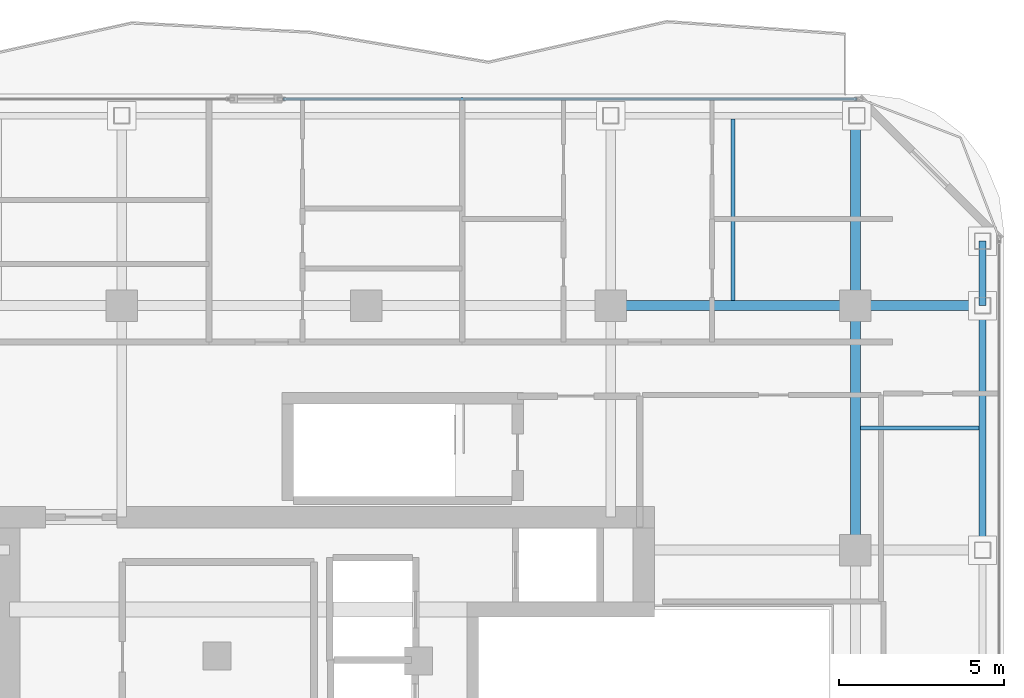
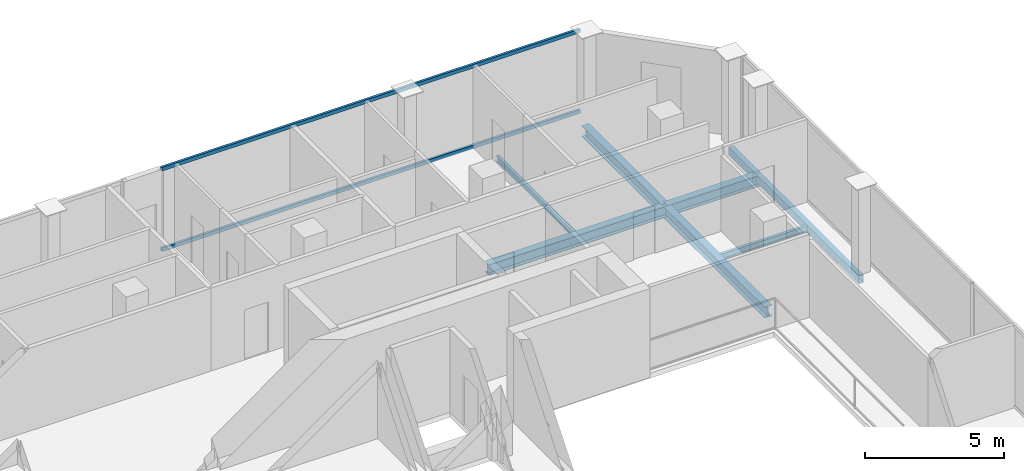
# One storey, part 13 of 22: 8 beams, 2 members, 1 element without a shape of its own.
"""IFC4 building model written with IfcOpenShell, lengths in metres."""

from ifc_helpers import new_model, si_unit, direction, frame, origin, origin_2d, place, context, subcontext, project, spatial, hollow_rectangle, i_section, extrude, material, layer, layer_set, material_profile, profile_set, type_object, element, aggregate, save


model = new_model("IFC4")

# Units and contexts
model_context = context("Model", 3, precision=1e-05, world=origin(), true_north=direction((0.0, 1.0)))
body_context = subcontext(model_context, "Body", "Model", "MODEL_VIEW")
ifc_project = project(units=[si_unit("LENGTHUNIT", "METRE"), si_unit("AREAUNIT", "SQUARE_METRE"), si_unit("VOLUMEUNIT", "CUBIC_METRE"), si_unit("PLANEANGLEUNIT", "RADIAN"), si_unit("MASSUNIT", "GRAM", prefix="KILO")], contexts=[model_context])

# Site, building, storey
site_placement = place(None, origin())
site = spatial("IfcSite", under=ifc_project, at=site_placement, CompositionType="ELEMENT")
building_placement = place(site_placement, origin())
building = spatial("IfcBuilding", under=site, at=building_placement, Name="Khorvyn Point Tower", CompositionType="ELEMENT")
storey_placement = place(building_placement, frame((0.0, 0.0, 309.300048828125)))
storey = spatial("IfcBuildingStorey", under=building, at=storey_placement, Name="L76", CompositionType="ELEMENT", Elevation=309.300048828125)

# Curtain wall, members
ifc_material_1 = material(Name="Anodised aluminium 6063-T6 and laminated Low-E glass", Category="aluminium")
ifc_layer = layer(ifc_material_1, 0.18994140625)
ifc_layer_set = layer_set([ifc_layer], Name="Stick-Built High-Wind Curtain Wall CW-SYS-04")
curtain_wall_type = type_object("IfcCurtainWallType", Name="Stick-Built High-Wind Curtain Wall CW-SYS-04", PredefinedType="NOTDEFINED", material=ifc_layer_set)
curtain_wall_placement = place(storey_placement, origin())
curtain_wall = element("IfcCurtainWall", 1, at=curtain_wall_placement, inside=storey, type_object=curtain_wall_type, Name="Curtain Wall", PredefinedType="NOTDEFINED")
ifc_material_2 = material(Name="Anodised aluminium 6063-T6", Category="aluminium")
ifc_material_profile_1 = material_profile(ifc_material_2, hollow_rectangle(XDim=0.10009765625, YDim=0.159912109375, WallThickness=0.00439453125, at=origin_2d()))
ifc_profile_set_1 = profile_set([ifc_material_profile_1], Name="Anodised aluminium 6063-T6 ALU-TRN-100x160")
member_type = type_object("IfcMemberType", Name="Anodised Aluminium 6063-T6 Transom ALU-TRN-100x160", PredefinedType="USERDEFINED", material=ifc_profile_set_1)
member_1_placement = place(storey_placement, frame((-2.52001953125, 21.050048828125, 0.050048828125), z_axis=(1.0, 0.0, 0.0), x_axis=(0.0, 1.0, 0.0)))
member_1 = element("IfcMember", 2, at=member_1_placement, type_object=member_type, Name="Transom", ObjectType="TRANSOM", PredefinedType="USERDEFINED", context=body_context, shape_type="SweptSolid", body=[
    extrude(hollow_rectangle(XDim=0.10009765625, YDim=0.159912109375, WallThickness=0.00439453125, at=origin_2d()), origin(), (0.0, 0.0, 1.0), 17.3701171875),
])
member_2_placement = place(storey_placement, frame((-2.52001953125, 21.050048828125, 3.58984375), z_axis=(1.0, 0.0, 0.0), x_axis=(0.0, 1.0, 0.0)))
member_2 = element("IfcMember", 3, at=member_2_placement, type_object=member_type, Name="Transom", ObjectType="TRANSOM", PredefinedType="USERDEFINED", context=body_context, shape_type="SweptSolid", body=[
    extrude(hollow_rectangle(XDim=0.10009765625, YDim=0.159912109375, WallThickness=0.00439453125, at=origin_2d()), origin(), (0.0, 0.0, 1.0), 17.3701171875),
])
aggregate(curtain_wall, [member_1, member_2])

# Beams
ifc_material_3 = material(Name="Steel S355", Category="steel")
ifc_material_profile_2 = material_profile(ifc_material_3, i_section(OverallWidth=0.125, OverallDepth=0.25, WebThickness=0.006103515625, FlangeThickness=0.009033203125, at=origin_2d()))
ifc_profile_set_2 = profile_set([ifc_material_profile_2], Name="Steel S355 H250x125x6x9")
beam_type_1 = type_object("IfcBeamType", Name="Steel S355 Joist H250x125x6x9", PredefinedType="JOIST", material=ifc_profile_set_2)
beam_1_placement = place(storey_placement, frame((14.949951171875, 11.10009765625, -0.344970703125), z_axis=(1.0, 0.0, 0.0), x_axis=(0.0, 1.0, 0.0)))
element("IfcBeam", 4, at=beam_1_placement, inside=storey, type_object=beam_type_1, Name="Beam", PredefinedType="JOIST", context=body_context, shape_type="SweptSolid", body=[
    extrude(i_section(OverallWidth=0.125, OverallDepth=0.25, WebThickness=0.006103515625, FlangeThickness=0.009033203125, at=origin_2d()), origin(), (0.0, 0.0, 1.0), 3.60009765625),
])
beam_2_placement = place(storey_placement, frame((11.10009765625, 14.949951171875, -0.344970703125), z_axis=(0.0, 1.0, 0.0), x_axis=(-1.0, 0.0, 0.0)))
element("IfcBeam", 5, at=beam_2_placement, inside=storey, type_object=beam_type_1, Name="Beam", PredefinedType="JOIST", context=body_context, shape_type="SweptSolid", body=[
    extrude(i_section(OverallWidth=0.125, OverallDepth=0.25, WebThickness=0.006103515625, FlangeThickness=0.009033203125, at=origin_2d()), origin(), (0.0, 0.0, 1.0), 5.5),
])
ifc_material_profile_3 = material_profile(ifc_material_3, i_section(OverallWidth=0.300048828125, OverallDepth=0.488037109375, WebThickness=0.010986328125, FlangeThickness=0.01806640625, at=origin_2d()))
ifc_profile_set_3 = profile_set([ifc_material_profile_3], Name="Steel S355 H488x300x11x18")
beam_type_2 = type_object("IfcBeamType", Name="Steel S355 Spandrel H488x300x11x18", PredefinedType="SPANDREL", material=ifc_profile_set_3)
beam_3_placement = place(storey_placement, frame((7.39990234375, 14.800048828125, -0.464111328125), z_axis=(1.0, 0.0, 0.0), x_axis=(0.0, 1.0, 0.0)))
element("IfcBeam", 6, at=beam_3_placement, inside=storey, type_object=beam_type_2, Name="Beam", PredefinedType="SPANDREL", context=body_context, shape_type="SweptSolid", body=[
    extrude(i_section(OverallWidth=0.300048828125, OverallDepth=0.488037109375, WebThickness=0.010986328125, FlangeThickness=0.01806640625, at=origin_2d()), origin(), (0.0, 0.0, 1.0), 7.400146484375),
])
beam_4_placement = place(storey_placement, frame((14.800048828125, 14.800048828125, -0.464111328125), z_axis=(1.0, 0.0, 0.0), x_axis=(0.0, 1.0, 0.0)))
element("IfcBeam", 7, at=beam_4_placement, inside=storey, type_object=beam_type_2, Name="Beam", PredefinedType="SPANDREL", context=body_context, shape_type="SweptSolid", body=[
    extrude(i_section(OverallWidth=0.300048828125, OverallDepth=0.488037109375, WebThickness=0.010986328125, FlangeThickness=0.01806640625, at=origin_2d()), origin(), (0.0, 0.0, 1.0), 3.849853515625),
])
beam_5_placement = place(storey_placement, frame((14.800048828125, 7.39990234375, -0.464111328125), z_axis=(0.0, 1.0, 0.0), x_axis=(-1.0, 0.0, 0.0)))
element("IfcBeam", 8, at=beam_5_placement, inside=storey, type_object=beam_type_2, Name="Beam", PredefinedType="SPANDREL", context=body_context, shape_type="SweptSolid", body=[
    extrude(i_section(OverallWidth=0.300048828125, OverallDepth=0.488037109375, WebThickness=0.010986328125, FlangeThickness=0.01806640625, at=origin_2d()), origin(), (0.0, 0.0, 1.0), 7.400146484375),
])
beam_6_placement = place(storey_placement, frame((14.800048828125, 14.800048828125, -0.464111328125), z_axis=(0.0, 1.0, 0.0), x_axis=(-1.0, 0.0, 0.0)))
element("IfcBeam", 9, at=beam_6_placement, inside=storey, type_object=beam_type_2, Name="Beam", PredefinedType="SPANDREL", context=body_context, shape_type="SweptSolid", body=[
    extrude(i_section(OverallWidth=0.300048828125, OverallDepth=0.488037109375, WebThickness=0.010986328125, FlangeThickness=0.01806640625, at=origin_2d()), origin(), (0.0, 0.0, 1.0), 5.75),
])
ifc_material_profile_4 = material_profile(ifc_material_3, hollow_rectangle(XDim=0.199951171875, YDim=0.35009765625, WallThickness=0.013916015625, at=origin_2d()))
ifc_profile_set_4 = profile_set([ifc_material_profile_4], Name="Steel S355 RHS350x200x14")
beam_type_3 = type_object("IfcBeamType", Name="Steel S355 Spandrel RHS350x200x14", PredefinedType="SPANDREL", material=ifc_profile_set_4)
beam_7_placement = place(storey_placement, frame((18.64990234375, 7.39990234375, -0.39501953125), z_axis=(0.0, 1.0, 0.0), x_axis=(-1.0, 0.0, 0.0)))
element("IfcBeam", 10, at=beam_7_placement, inside=storey, type_object=beam_type_3, Name="Beam", PredefinedType="SPANDREL", context=body_context, shape_type="SweptSolid", body=[
    extrude(hollow_rectangle(XDim=0.199951171875, YDim=0.35009765625, WallThickness=0.013916015625, at=origin_2d()), origin(), (0.0, 0.0, 1.0), 7.400146484375),
])
beam_8_placement = place(storey_placement, frame((18.64990234375, 14.800048828125, -0.39501953125), z_axis=(0.0, 1.0, 0.0), x_axis=(-1.0, 0.0, 0.0)))
element("IfcBeam", 11, at=beam_8_placement, inside=storey, type_object=beam_type_3, Name="Beam", PredefinedType="SPANDREL", context=body_context, shape_type="SweptSolid", body=[
    extrude(hollow_rectangle(XDim=0.199951171875, YDim=0.35009765625, WallThickness=0.013916015625, at=origin_2d()), origin(), (0.0, 0.0, 1.0), 1.949951171875),
])

save(model, "model.ifc")
